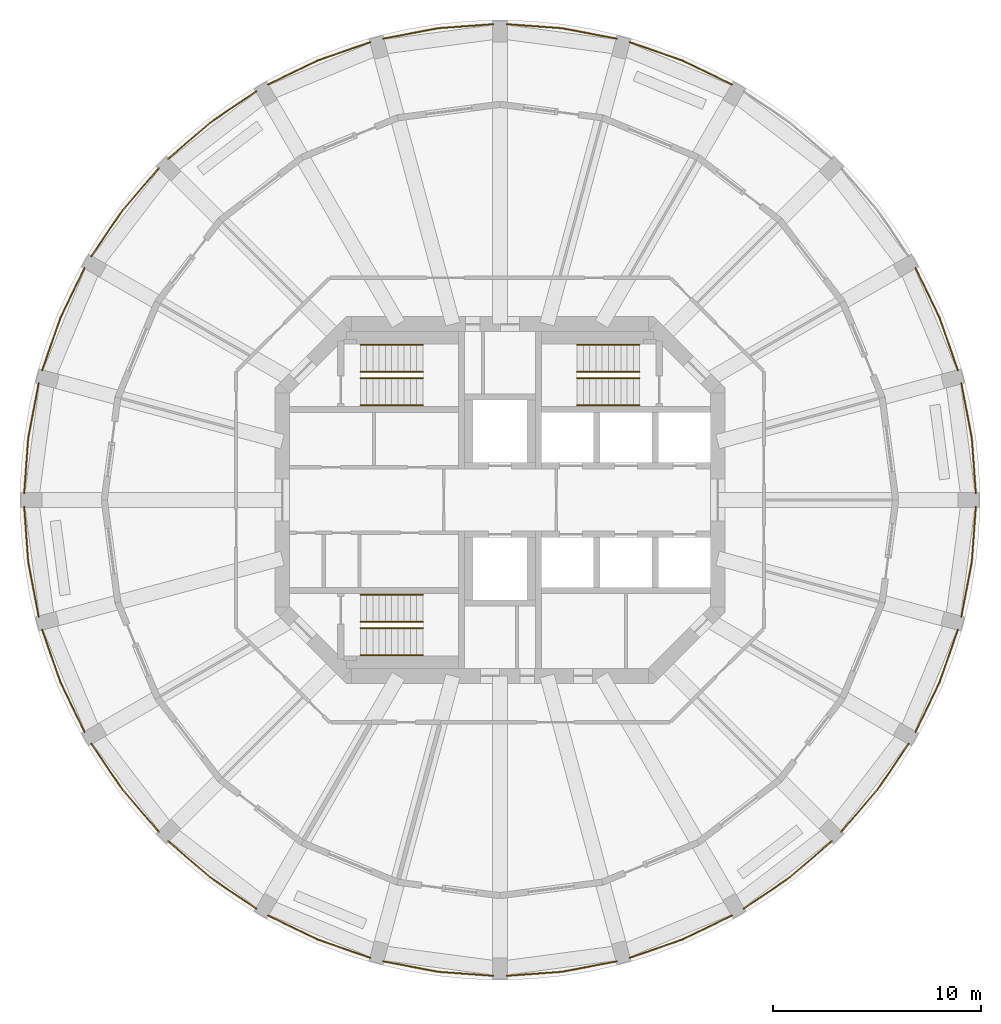
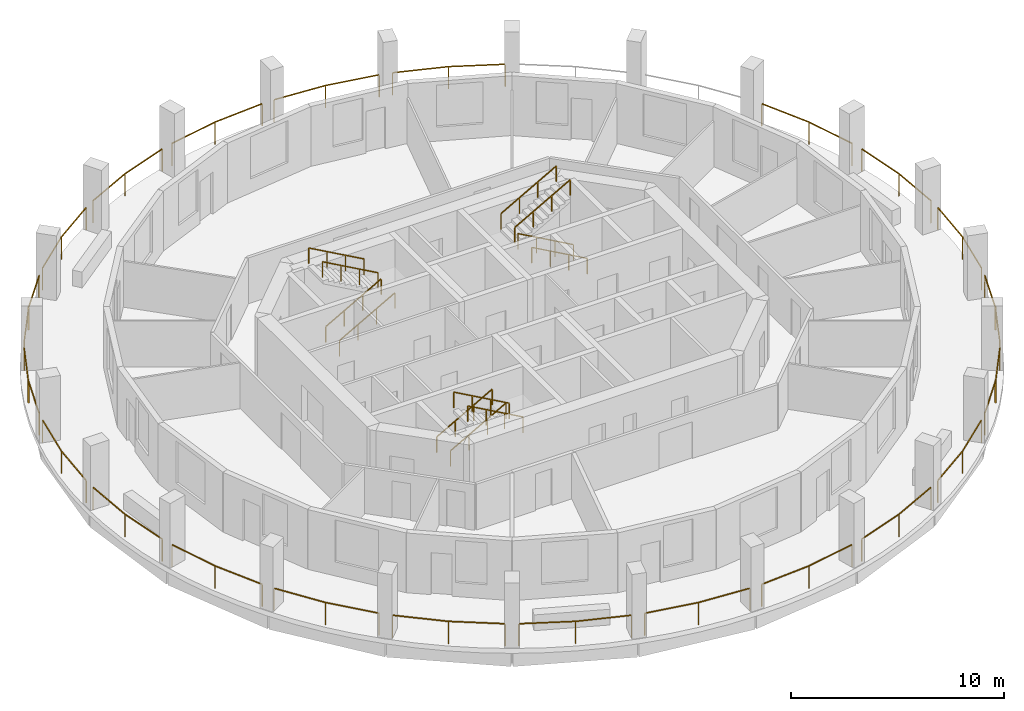
# One storey, part 8 of 9: 34 railings.
"""IFC4 building model written with IfcOpenShell, lengths in metres."""

from ifc_helpers import new_model, si_unit, direction, frame, origin, origin_2d, place, context, subcontext, project, spatial, rectangle, extrude, material, type_object, element, save


model = new_model("IFC4")

# Units and contexts
model_context = context("Model", 3, precision=1e-05, world=origin(), true_north=direction((0.0, 1.0)))
body_context = subcontext(model_context, "Body", "Model", "MODEL_VIEW")
ifc_project = project(units=[si_unit("LENGTHUNIT", "METRE"), si_unit("AREAUNIT", "SQUARE_METRE"), si_unit("VOLUMEUNIT", "CUBIC_METRE"), si_unit("PLANEANGLEUNIT", "RADIAN"), si_unit("MASSUNIT", "GRAM", prefix="KILO")], contexts=[model_context])

# Site, building, storey
site_placement = place(None, origin())
site = spatial("IfcSite", under=ifc_project, at=site_placement, CompositionType="ELEMENT")
building_placement = place(site_placement, origin())
building = spatial("IfcBuilding", under=site, at=building_placement, Name="Torre Triforio", CompositionType="ELEMENT")
storey_placement = place(building_placement, frame((0.0, 0.0, 154.199951171875)))
storey = spatial("IfcBuildingStorey", under=building, at=storey_placement, Name="L34", CompositionType="ELEMENT", Elevation=154.199951171875)

# Railings
ifc_material = material(Name="Stainless steel AISI 316", Category="steel")
railing_type_1 = type_object("IfcRailingType", Name="HANDRAIL 920", PredefinedType="HANDRAIL", material=ifc_material)
for number, where, name in (
    (1, (-6.699951171875, 4.550048828125, 0.168212890625), "Handrail ST1"),
    (2, (-6.699951171875, 5.85009765625, 0.168212890625), "Handrail ST1"),
):
    element("IfcRailing", number, at=place(storey_placement, frame(where)), inside=storey, type_object=railing_type_1, Name=name, PredefinedType="HANDRAIL", context=body_context, shape_type="SweptSolid", body=[
        extrude(rectangle(XDim=0.048095703125, YDim=0.048095703125, at=origin_2d()), frame((0.0, 0.0, 0.89599609375), z_axis=(0.872272294576, 0.0, 0.489020494575), x_axis=(0.0, 1.0, 0.0)), (0.0, 0.0, 1.0), 3.439208984375),
        extrude(rectangle(XDim=0.0419921875, YDim=0.0419921875, at=origin_2d()), origin(), (0.0, 0.0, 1.0), 0.871826171875),
        extrude(rectangle(XDim=0.0419921875, YDim=0.0419921875, at=origin_2d()), frame((1.0, 0.0, 0.560546875)), (0.0, 0.0, 1.0), 0.871826171875),
        extrude(rectangle(XDim=0.0419921875, YDim=0.0419921875, at=origin_2d()), frame((2.0, 0.0, 1.121337890625)), (0.0, 0.0, 1.0), 0.871826171875),
        extrude(rectangle(XDim=0.0419921875, YDim=0.0419921875, at=origin_2d()), frame((3.0, 0.0, 1.681884765625)), (0.0, 0.0, 1.0), 0.871826171875),
    ])
for number, where, name in (
    (3, (-3.699951171875, 7.449951171875, 2.018310546875), "Handrail ST1"),
    (4, (-3.699951171875, 6.14990234375, 2.018310546875), "Handrail ST1"),
):
    element("IfcRailing", number, at=place(storey_placement, frame(where)), inside=storey, type_object=railing_type_1, Name=name, PredefinedType="HANDRAIL", context=body_context, shape_type="SweptSolid", body=[
        extrude(rectangle(XDim=0.048095703125, YDim=0.048095703125, at=origin_2d()), frame((0.0, 0.0, 0.89599609375), z_axis=(-0.872302573547, 0.0, 0.488966481656), x_axis=(0.0, -1.0, 0.0)), (0.0, 0.0, 1.0), 3.439208984375),
        extrude(rectangle(XDim=0.0419921875, YDim=0.0419921875, at=origin_2d()), origin(), (0.0, 0.0, 1.0), 0.871826171875),
        extrude(rectangle(XDim=0.0419921875, YDim=0.0419921875, at=origin_2d()), frame((-1.0, 0.0, 0.560546875)), (0.0, 0.0, 1.0), 0.871826171875),
        extrude(rectangle(XDim=0.0419921875, YDim=0.0419921875, at=origin_2d()), frame((-2.0, 0.0, 1.12109375)), (0.0, 0.0, 1.0), 0.871826171875),
        extrude(rectangle(XDim=0.0419921875, YDim=0.0419921875, at=origin_2d()), frame((-3.0, 0.0, 1.681640625)), (0.0, 0.0, 1.0), 0.871826171875),
    ])
for number, where, name in (
    (5, (6.699951171875, 4.550048828125, 0.168212890625), "Handrail ST2"),
    (6, (6.699951171875, 5.85009765625, 0.168212890625), "Handrail ST2"),
):
    element("IfcRailing", number, at=place(storey_placement, frame(where)), inside=storey, type_object=railing_type_1, Name=name, PredefinedType="HANDRAIL", context=body_context, shape_type="SweptSolid", body=[
        extrude(rectangle(XDim=0.048095703125, YDim=0.048095703125, at=origin_2d()), frame((0.0, 0.0, 0.89599609375), z_axis=(-0.872272294576, 0.0, 0.489020494575), x_axis=(0.0, -1.0, 0.0)), (0.0, 0.0, 1.0), 3.439208984375),
        extrude(rectangle(XDim=0.0419921875, YDim=0.0419921875, at=origin_2d()), origin(), (0.0, 0.0, 1.0), 0.871826171875),
        extrude(rectangle(XDim=0.0419921875, YDim=0.0419921875, at=origin_2d()), frame((-1.0, 0.0, 0.560546875)), (0.0, 0.0, 1.0), 0.871826171875),
        extrude(rectangle(XDim=0.0419921875, YDim=0.0419921875, at=origin_2d()), frame((-2.0, 0.0, 1.121337890625)), (0.0, 0.0, 1.0), 0.871826171875),
        extrude(rectangle(XDim=0.0419921875, YDim=0.0419921875, at=origin_2d()), frame((-3.0, 0.0, 1.681884765625)), (0.0, 0.0, 1.0), 0.871826171875),
    ])
for number, where, name in (
    (7, (3.699951171875, 7.449951171875, 2.018310546875), "Handrail ST2"),
    (8, (3.699951171875, 6.14990234375, 2.018310546875), "Handrail ST2"),
):
    element("IfcRailing", number, at=place(storey_placement, frame(where)), inside=storey, type_object=railing_type_1, Name=name, PredefinedType="HANDRAIL", context=body_context, shape_type="SweptSolid", body=[
        extrude(rectangle(XDim=0.048095703125, YDim=0.048095703125, at=origin_2d()), frame((0.0, 0.0, 0.89599609375), z_axis=(0.872302573547, 0.0, 0.488966481656), x_axis=(0.0, 1.0, 0.0)), (0.0, 0.0, 1.0), 3.439208984375),
        extrude(rectangle(XDim=0.0419921875, YDim=0.0419921875, at=origin_2d()), origin(), (0.0, 0.0, 1.0), 0.871826171875),
        extrude(rectangle(XDim=0.0419921875, YDim=0.0419921875, at=origin_2d()), frame((1.0, 0.0, 0.560546875)), (0.0, 0.0, 1.0), 0.871826171875),
        extrude(rectangle(XDim=0.0419921875, YDim=0.0419921875, at=origin_2d()), frame((2.0, 0.0, 1.12109375)), (0.0, 0.0, 1.0), 0.871826171875),
        extrude(rectangle(XDim=0.0419921875, YDim=0.0419921875, at=origin_2d()), frame((3.0, 0.0, 1.681640625)), (0.0, 0.0, 1.0), 0.871826171875),
    ])
for number, where, name in (
    (9, (-6.699951171875, -4.550048828125, 0.168212890625), "Handrail ST3"),
    (10, (-6.699951171875, -5.85009765625, 0.168212890625), "Handrail ST3"),
):
    element("IfcRailing", number, at=place(storey_placement, frame(where)), inside=storey, type_object=railing_type_1, Name=name, PredefinedType="HANDRAIL", context=body_context, shape_type="SweptSolid", body=[
        extrude(rectangle(XDim=0.048095703125, YDim=0.048095703125, at=origin_2d()), frame((0.0, 0.0, 0.89599609375), z_axis=(0.872272294576, 0.0, 0.489020494575), x_axis=(0.0, 1.0, 0.0)), (0.0, 0.0, 1.0), 3.439208984375),
        extrude(rectangle(XDim=0.0419921875, YDim=0.0419921875, at=origin_2d()), origin(), (0.0, 0.0, 1.0), 0.871826171875),
        extrude(rectangle(XDim=0.0419921875, YDim=0.0419921875, at=origin_2d()), frame((1.0, 0.0, 0.560546875)), (0.0, 0.0, 1.0), 0.871826171875),
        extrude(rectangle(XDim=0.0419921875, YDim=0.0419921875, at=origin_2d()), frame((2.0, 0.0, 1.121337890625)), (0.0, 0.0, 1.0), 0.871826171875),
        extrude(rectangle(XDim=0.0419921875, YDim=0.0419921875, at=origin_2d()), frame((3.0, 0.0, 1.681884765625)), (0.0, 0.0, 1.0), 0.871826171875),
    ])
for number, where, name in (
    (11, (-3.699951171875, -7.449951171875, 2.018310546875), "Handrail ST3"),
    (12, (-3.699951171875, -6.14990234375, 2.018310546875), "Handrail ST3"),
):
    element("IfcRailing", number, at=place(storey_placement, frame(where)), inside=storey, type_object=railing_type_1, Name=name, PredefinedType="HANDRAIL", context=body_context, shape_type="SweptSolid", body=[
        extrude(rectangle(XDim=0.048095703125, YDim=0.048095703125, at=origin_2d()), frame((0.0, 0.0, 0.89599609375), z_axis=(-0.872302573547, 0.0, 0.488966481656), x_axis=(0.0, -1.0, 0.0)), (0.0, 0.0, 1.0), 3.439208984375),
        extrude(rectangle(XDim=0.0419921875, YDim=0.0419921875, at=origin_2d()), origin(), (0.0, 0.0, 1.0), 0.871826171875),
        extrude(rectangle(XDim=0.0419921875, YDim=0.0419921875, at=origin_2d()), frame((-1.0, 0.0, 0.560546875)), (0.0, 0.0, 1.0), 0.871826171875),
        extrude(rectangle(XDim=0.0419921875, YDim=0.0419921875, at=origin_2d()), frame((-2.0, 0.0, 1.12109375)), (0.0, 0.0, 1.0), 0.871826171875),
        extrude(rectangle(XDim=0.0419921875, YDim=0.0419921875, at=origin_2d()), frame((-3.0, 0.0, 1.681640625)), (0.0, 0.0, 1.0), 0.871826171875),
    ])
railing_type_2 = type_object("IfcRailingType", Name="Loggia guard 1300", PredefinedType="GUARDRAIL", material=ifc_material)
railing_1_placement = place(storey_placement, frame((22.85009765625, 0.320068359375, 0.0)))
element("IfcRailing", 13, at=railing_1_placement, inside=storey, type_object=railing_type_2, Name="Loggia guard L34 bay 01", PredefinedType="GUARDRAIL", context=body_context, shape_type="SweptSolid", body=[
    extrude(rectangle(XDim=0.050048828125, YDim=0.050048828125, at=origin_2d()), frame((0.0, 0.0, 1.27490234375), z_axis=(-0.073255194528, 0.997313228868, 0.0), x_axis=(-0.997313228868, -0.073255194528, 0.0)), (0.0, 0.0, 1.0), 2.66943359375),
    extrude(rectangle(XDim=0.050048828125, YDim=0.050048828125, at=origin_2d()), frame((-0.195556640625, 2.662353515625, 1.27490234375), z_axis=(-0.187368424401, 0.982289709575, 0.0), x_axis=(-0.982289709575, -0.187368424401, 0.0)), (0.0, 0.0, 1.0), 2.669921875),
    extrude(rectangle(XDim=0.0400390625, YDim=0.0400390625, at=origin_2d()), origin(), (0.0, 0.0, 1.0), 1.25),
    extrude(rectangle(XDim=0.0400390625, YDim=0.0400390625, at=origin_2d()), frame((-0.195556640625, 2.662353515625, 0.0)), (0.0, 0.0, 1.0), 1.25),
    extrude(rectangle(XDim=0.0400390625, YDim=0.0400390625, at=origin_2d()), frame((-0.69580078125, 5.284912109375, 0.0)), (0.0, 0.0, 1.0), 1.25),
])
railing_2_placement = place(storey_placement, frame((21.988525390625, 6.22314453125, 0.0)))
element("IfcRailing", 14, at=railing_2_placement, inside=storey, type_object=railing_type_2, Name="Loggia guard L34 bay 02", PredefinedType="GUARDRAIL", context=body_context, shape_type="SweptSolid", body=[
    extrude(rectangle(XDim=0.050048828125, YDim=0.050048828125, at=origin_2d()), frame((0.0, 0.0, 1.27490234375), z_axis=(-0.328846918852, 0.944383239984, 0.0), x_axis=(-0.944383239984, -0.328846918852, 0.0)), (0.0, 0.0, 1.0), 2.669677734375),
    extrude(rectangle(XDim=0.050048828125, YDim=0.050048828125, at=origin_2d()), frame((-0.8779296875, 2.521240234375, 1.27490234375), z_axis=(-0.435211903812, 0.900328050646, 0.0), x_axis=(-0.900328050646, -0.435211903812, 0.0)), (0.0, 0.0, 1.0), 2.669677734375),
    extrude(rectangle(XDim=0.0400390625, YDim=0.0400390625, at=origin_2d()), origin(), (0.0, 0.0, 1.0), 1.25),
    extrude(rectangle(XDim=0.0400390625, YDim=0.0400390625, at=origin_2d()), frame((-0.8779296875, 2.521240234375, 0.0)), (0.0, 0.0, 1.0), 1.25),
    extrude(rectangle(XDim=0.0400390625, YDim=0.0400390625, at=origin_2d()), frame((-2.039794921875, 4.9248046875, 0.0)), (0.0, 0.0, 1.0), 1.25),
])
railing_3_placement = place(storey_placement, frame((11.14794921875, 19.94873046875, 0.0)))
element("IfcRailing", 15, at=railing_3_placement, inside=storey, type_object=railing_type_2, Name="Loggia guard L34 bay 05", PredefinedType="GUARDRAIL", context=body_context, shape_type="SweptSolid", body=[
    extrude(rectangle(XDim=0.050048828125, YDim=0.050048828125, at=origin_2d()), frame((0.0, 0.0, 1.27490234375), z_axis=(-0.900328050646, 0.435211903812, 0.0), x_axis=(-0.435211903812, -0.900328050646, 0.0)), (0.0, 0.0, 1.0), 2.669677734375),
    extrude(rectangle(XDim=0.050048828125, YDim=0.050048828125, at=origin_2d()), frame((-2.403564453125, 1.161865234375, 1.27490234375), z_axis=(-0.944383239984, 0.328846918852, 0.0), x_axis=(-0.328846918852, -0.944383239984, 0.0)), (0.0, 0.0, 1.0), 2.669677734375),
    extrude(rectangle(XDim=0.0400390625, YDim=0.0400390625, at=origin_2d()), origin(), (0.0, 0.0, 1.0), 1.25),
    extrude(rectangle(XDim=0.0400390625, YDim=0.0400390625, at=origin_2d()), frame((-2.403564453125, 1.161865234375, 0.0)), (0.0, 0.0, 1.0), 1.25),
    extrude(rectangle(XDim=0.0400390625, YDim=0.0400390625, at=origin_2d()), frame((-4.9248046875, 2.039794921875, 0.0)), (0.0, 0.0, 1.0), 1.25),
])
railing_4_placement = place(storey_placement, frame((5.60498046875, 22.154296875, 0.0)))
element("IfcRailing", 16, at=railing_4_placement, inside=storey, type_object=railing_type_2, Name="Loggia guard L34 bay 06", PredefinedType="GUARDRAIL", context=body_context, shape_type="SweptSolid", body=[
    extrude(rectangle(XDim=0.050048828125, YDim=0.050048828125, at=origin_2d()), frame((0.0, 0.0, 1.27490234375), z_axis=(-0.982289709575, 0.187368424401, 0.0), x_axis=(-0.187368424401, -0.982289709575, 0.0)), (0.0, 0.0, 1.0), 2.669921875),
    extrude(rectangle(XDim=0.050048828125, YDim=0.050048828125, at=origin_2d()), frame((-2.62255859375, 0.500244140625, 1.27490234375), z_axis=(-0.997313228868, 0.073255194528, 0.0), x_axis=(-0.073255194528, -0.997313228868, 0.0)), (0.0, 0.0, 1.0), 2.66943359375),
    extrude(rectangle(XDim=0.0400390625, YDim=0.0400390625, at=origin_2d()), origin(), (0.0, 0.0, 1.0), 1.25),
    extrude(rectangle(XDim=0.0400390625, YDim=0.0400390625, at=origin_2d()), frame((-2.62255859375, 0.500244140625, 0.0)), (0.0, 0.0, 1.0), 1.25),
    extrude(rectangle(XDim=0.0400390625, YDim=0.0400390625, at=origin_2d()), frame((-5.284912109375, 0.69580078125, 0.0)), (0.0, 0.0, 1.0), 1.25),
])
railing_5_placement = place(storey_placement, frame((-0.320068359375, 22.85009765625, 0.0)))
element("IfcRailing", 17, at=railing_5_placement, inside=storey, type_object=railing_type_2, Name="Loggia guard L34 bay 07", PredefinedType="GUARDRAIL", context=body_context, shape_type="SweptSolid", body=[
    extrude(rectangle(XDim=0.050048828125, YDim=0.050048828125, at=origin_2d()), frame((0.0, 0.0, 1.27490234375), z_axis=(-0.997313228868, -0.073255194528, 0.0), x_axis=(0.073255194528, -0.997313228868, 0.0)), (0.0, 0.0, 1.0), 2.66943359375),
    extrude(rectangle(XDim=0.050048828125, YDim=0.050048828125, at=origin_2d()), frame((-2.662353515625, -0.195556640625, 1.27490234375), z_axis=(-0.982289709575, -0.187368424401, 0.0), x_axis=(0.187368424401, -0.982289709575, 0.0)), (0.0, 0.0, 1.0), 2.669921875),
    extrude(rectangle(XDim=0.0400390625, YDim=0.0400390625, at=origin_2d()), origin(), (0.0, 0.0, 1.0), 1.25),
    extrude(rectangle(XDim=0.0400390625, YDim=0.0400390625, at=origin_2d()), frame((-2.662353515625, -0.195556640625, 0.0)), (0.0, 0.0, 1.0), 1.25),
    extrude(rectangle(XDim=0.0400390625, YDim=0.0400390625, at=origin_2d()), frame((-5.284912109375, -0.69580078125, 0.0)), (0.0, 0.0, 1.0), 1.25),
])
railing_6_placement = place(storey_placement, frame((-6.22314453125, 21.988525390625, 0.0)))
element("IfcRailing", 18, at=railing_6_placement, inside=storey, type_object=railing_type_2, Name="Loggia guard L34 bay 08", PredefinedType="GUARDRAIL", context=body_context, shape_type="SweptSolid", body=[
    extrude(rectangle(XDim=0.050048828125, YDim=0.050048828125, at=origin_2d()), frame((0.0, 0.0, 1.27490234375), z_axis=(-0.944383239984, -0.328846918852, 0.0), x_axis=(0.328846918852, -0.944383239984, 0.0)), (0.0, 0.0, 1.0), 2.669677734375),
    extrude(rectangle(XDim=0.050048828125, YDim=0.050048828125, at=origin_2d()), frame((-2.521240234375, -0.8779296875, 1.27490234375), z_axis=(-0.900328050646, -0.435211903812, 0.0), x_axis=(0.435211903812, -0.900328050646, 0.0)), (0.0, 0.0, 1.0), 2.669677734375),
    extrude(rectangle(XDim=0.0400390625, YDim=0.0400390625, at=origin_2d()), origin(), (0.0, 0.0, 1.0), 1.25),
    extrude(rectangle(XDim=0.0400390625, YDim=0.0400390625, at=origin_2d()), frame((-2.521240234375, -0.8779296875, 0.0)), (0.0, 0.0, 1.0), 1.25),
    extrude(rectangle(XDim=0.0400390625, YDim=0.0400390625, at=origin_2d()), frame((-4.9248046875, -2.039794921875, 0.0)), (0.0, 0.0, 1.0), 1.25),
])
railing_7_placement = place(storey_placement, frame((-11.7021484375, 19.628662109375, 0.0)))
element("IfcRailing", 19, at=railing_7_placement, inside=storey, type_object=railing_type_2, Name="Loggia guard L34 bay 09", PredefinedType="GUARDRAIL", context=body_context, shape_type="SweptSolid", body=[
    extrude(rectangle(XDim=0.050048828125, YDim=0.050048828125, at=origin_2d()), frame((0.0, 0.0, 1.27490234375), z_axis=(-0.827093160774, -0.562064856935, 0.0), x_axis=(0.562064856935, -0.827093160774, 0.0)), (0.0, 0.0, 1.0), 2.669677734375),
    extrude(rectangle(XDim=0.050048828125, YDim=0.050048828125, at=origin_2d()), frame((-2.2080078125, -1.50048828125, 1.27490234375), z_axis=(-0.757012150376, -0.653400799038, 0.0), x_axis=(0.653400799038, -0.757012150376, 0.0)), (0.0, 0.0, 1.0), 2.669677734375),
    extrude(rectangle(XDim=0.0400390625, YDim=0.0400390625, at=origin_2d()), origin(), (0.0, 0.0, 1.0), 1.25),
    extrude(rectangle(XDim=0.0400390625, YDim=0.0400390625, at=origin_2d()), frame((-2.2080078125, -1.50048828125, 0.0)), (0.0, 0.0, 1.0), 1.25),
    extrude(rectangle(XDim=0.0400390625, YDim=0.0400390625, at=origin_2d()), frame((-4.22900390625, -3.244873046875, 0.0)), (0.0, 0.0, 1.0), 1.25),
])
railing_8_placement = place(storey_placement, frame((-16.3837890625, 15.93115234375, 0.0)))
element("IfcRailing", 20, at=railing_8_placement, inside=storey, type_object=railing_type_2, Name="Loggia guard L34 bay 10", PredefinedType="GUARDRAIL", context=body_context, shape_type="SweptSolid", body=[
    extrude(rectangle(XDim=0.050048828125, YDim=0.050048828125, at=origin_2d()), frame((0.0, 0.0, 1.27490234375), z_axis=(-0.653400799038, -0.757012150376, 0.0), x_axis=(0.757012150376, -0.653400799038, 0.0)), (0.0, 0.0, 1.0), 2.669677734375),
    extrude(rectangle(XDim=0.050048828125, YDim=0.050048828125, at=origin_2d()), frame((-1.744384765625, -2.02099609375, 1.27490234375), z_axis=(-0.562064856935, -0.827093160774, 0.0), x_axis=(0.827093160774, -0.562064856935, 0.0)), (0.0, 0.0, 1.0), 2.669677734375),
    extrude(rectangle(XDim=0.0400390625, YDim=0.0400390625, at=origin_2d()), origin(), (0.0, 0.0, 1.0), 1.25),
    extrude(rectangle(XDim=0.0400390625, YDim=0.0400390625, at=origin_2d()), frame((-1.744384765625, -2.02099609375, 0.0)), (0.0, 0.0, 1.0), 1.25),
    extrude(rectangle(XDim=0.0400390625, YDim=0.0400390625, at=origin_2d()), frame((-3.244873046875, -4.22900390625, 0.0)), (0.0, 0.0, 1.0), 1.25),
])
railing_9_placement = place(storey_placement, frame((-19.94873046875, 11.14794921875, 0.0)))
element("IfcRailing", 21, at=railing_9_placement, inside=storey, type_object=railing_type_2, Name="Loggia guard L34 bay 11", PredefinedType="GUARDRAIL", context=body_context, shape_type="SweptSolid", body=[
    extrude(rectangle(XDim=0.050048828125, YDim=0.050048828125, at=origin_2d()), frame((0.0, 0.0, 1.27490234375), z_axis=(-0.435211903812, -0.900328050646, 0.0), x_axis=(0.900328050646, -0.435211903812, 0.0)), (0.0, 0.0, 1.0), 2.669677734375),
    extrude(rectangle(XDim=0.050048828125, YDim=0.050048828125, at=origin_2d()), frame((-1.161865234375, -2.403564453125, 1.27490234375), z_axis=(-0.328846918852, -0.944383239984, 0.0), x_axis=(0.944383239984, -0.328846918852, 0.0)), (0.0, 0.0, 1.0), 2.669677734375),
    extrude(rectangle(XDim=0.0400390625, YDim=0.0400390625, at=origin_2d()), origin(), (0.0, 0.0, 1.0), 1.25),
    extrude(rectangle(XDim=0.0400390625, YDim=0.0400390625, at=origin_2d()), frame((-1.161865234375, -2.403564453125, 0.0)), (0.0, 0.0, 1.0), 1.25),
    extrude(rectangle(XDim=0.0400390625, YDim=0.0400390625, at=origin_2d()), frame((-2.039794921875, -4.9248046875, 0.0)), (0.0, 0.0, 1.0), 1.25),
])
railing_10_placement = place(storey_placement, frame((-22.154296875, 5.60498046875, 0.0)))
element("IfcRailing", 22, at=railing_10_placement, inside=storey, type_object=railing_type_2, Name="Loggia guard L34 bay 12", PredefinedType="GUARDRAIL", context=body_context, shape_type="SweptSolid", body=[
    extrude(rectangle(XDim=0.050048828125, YDim=0.050048828125, at=origin_2d()), frame((0.0, 0.0, 1.27490234375), z_axis=(-0.187368424401, -0.982289709575, 0.0), x_axis=(0.982289709575, -0.187368424401, 0.0)), (0.0, 0.0, 1.0), 2.669921875),
    extrude(rectangle(XDim=0.050048828125, YDim=0.050048828125, at=origin_2d()), frame((-0.500244140625, -2.62255859375, 1.27490234375), z_axis=(-0.073255194528, -0.997313228868, 0.0), x_axis=(0.997313228868, -0.073255194528, 0.0)), (0.0, 0.0, 1.0), 2.66943359375),
    extrude(rectangle(XDim=0.0400390625, YDim=0.0400390625, at=origin_2d()), origin(), (0.0, 0.0, 1.0), 1.25),
    extrude(rectangle(XDim=0.0400390625, YDim=0.0400390625, at=origin_2d()), frame((-0.500244140625, -2.62255859375, 0.0)), (0.0, 0.0, 1.0), 1.25),
    extrude(rectangle(XDim=0.0400390625, YDim=0.0400390625, at=origin_2d()), frame((-0.69580078125, -5.284912109375, 0.0)), (0.0, 0.0, 1.0), 1.25),
])
railing_11_placement = place(storey_placement, frame((-22.85009765625, -0.320068359375, 0.0)))
element("IfcRailing", 23, at=railing_11_placement, inside=storey, type_object=railing_type_2, Name="Loggia guard L34 bay 13", PredefinedType="GUARDRAIL", context=body_context, shape_type="SweptSolid", body=[
    extrude(rectangle(XDim=0.050048828125, YDim=0.050048828125, at=origin_2d()), frame((0.0, 0.0, 1.27490234375), z_axis=(0.073255194528, -0.997313228868, 0.0), x_axis=(0.997313228868, 0.073255194528, 0.0)), (0.0, 0.0, 1.0), 2.66943359375),
    extrude(rectangle(XDim=0.050048828125, YDim=0.050048828125, at=origin_2d()), frame((0.195556640625, -2.662353515625, 1.27490234375), z_axis=(0.187368424401, -0.982289709575, 0.0), x_axis=(0.982289709575, 0.187368424401, 0.0)), (0.0, 0.0, 1.0), 2.669921875),
    extrude(rectangle(XDim=0.0400390625, YDim=0.0400390625, at=origin_2d()), origin(), (0.0, 0.0, 1.0), 1.25),
    extrude(rectangle(XDim=0.0400390625, YDim=0.0400390625, at=origin_2d()), frame((0.195556640625, -2.662353515625, 0.0)), (0.0, 0.0, 1.0), 1.25),
    extrude(rectangle(XDim=0.0400390625, YDim=0.0400390625, at=origin_2d()), frame((0.69580078125, -5.284912109375, 0.0)), (0.0, 0.0, 1.0), 1.25),
])
railing_12_placement = place(storey_placement, frame((-21.988525390625, -6.22314453125, 0.0)))
element("IfcRailing", 24, at=railing_12_placement, inside=storey, type_object=railing_type_2, Name="Loggia guard L34 bay 14", PredefinedType="GUARDRAIL", context=body_context, shape_type="SweptSolid", body=[
    extrude(rectangle(XDim=0.050048828125, YDim=0.050048828125, at=origin_2d()), frame((0.0, 0.0, 1.27490234375), z_axis=(0.328846918852, -0.944383239984, 0.0), x_axis=(0.944383239984, 0.328846918852, 0.0)), (0.0, 0.0, 1.0), 2.669677734375),
    extrude(rectangle(XDim=0.050048828125, YDim=0.050048828125, at=origin_2d()), frame((0.8779296875, -2.521240234375, 1.27490234375), z_axis=(0.435211903812, -0.900328050646, 0.0), x_axis=(0.900328050646, 0.435211903812, 0.0)), (0.0, 0.0, 1.0), 2.669677734375),
    extrude(rectangle(XDim=0.0400390625, YDim=0.0400390625, at=origin_2d()), origin(), (0.0, 0.0, 1.0), 1.25),
    extrude(rectangle(XDim=0.0400390625, YDim=0.0400390625, at=origin_2d()), frame((0.8779296875, -2.521240234375, 0.0)), (0.0, 0.0, 1.0), 1.25),
    extrude(rectangle(XDim=0.0400390625, YDim=0.0400390625, at=origin_2d()), frame((2.039794921875, -4.9248046875, 0.0)), (0.0, 0.0, 1.0), 1.25),
])
railing_13_placement = place(storey_placement, frame((-19.628662109375, -11.7021484375, 0.0)))
element("IfcRailing", 25, at=railing_13_placement, inside=storey, type_object=railing_type_2, Name="Loggia guard L34 bay 15", PredefinedType="GUARDRAIL", context=body_context, shape_type="SweptSolid", body=[
    extrude(rectangle(XDim=0.050048828125, YDim=0.050048828125, at=origin_2d()), frame((0.0, 0.0, 1.27490234375), z_axis=(0.562064856935, -0.827093160774, 0.0), x_axis=(0.827093160774, 0.562064856935, 0.0)), (0.0, 0.0, 1.0), 2.669677734375),
    extrude(rectangle(XDim=0.050048828125, YDim=0.050048828125, at=origin_2d()), frame((1.50048828125, -2.2080078125, 1.27490234375), z_axis=(0.653400799038, -0.757012150376, 0.0), x_axis=(0.757012150376, 0.653400799038, 0.0)), (0.0, 0.0, 1.0), 2.669677734375),
    extrude(rectangle(XDim=0.0400390625, YDim=0.0400390625, at=origin_2d()), origin(), (0.0, 0.0, 1.0), 1.25),
    extrude(rectangle(XDim=0.0400390625, YDim=0.0400390625, at=origin_2d()), frame((1.50048828125, -2.2080078125, 0.0)), (0.0, 0.0, 1.0), 1.25),
    extrude(rectangle(XDim=0.0400390625, YDim=0.0400390625, at=origin_2d()), frame((3.244873046875, -4.22900390625, 0.0)), (0.0, 0.0, 1.0), 1.25),
])
railing_14_placement = place(storey_placement, frame((-15.93115234375, -16.3837890625, 0.0)))
element("IfcRailing", 26, at=railing_14_placement, inside=storey, type_object=railing_type_2, Name="Loggia guard L34 bay 16", PredefinedType="GUARDRAIL", context=body_context, shape_type="SweptSolid", body=[
    extrude(rectangle(XDim=0.050048828125, YDim=0.050048828125, at=origin_2d()), frame((0.0, 0.0, 1.27490234375), z_axis=(0.757012150376, -0.653400799038, 0.0), x_axis=(0.653400799038, 0.757012150376, 0.0)), (0.0, 0.0, 1.0), 2.669677734375),
    extrude(rectangle(XDim=0.050048828125, YDim=0.050048828125, at=origin_2d()), frame((2.02099609375, -1.744384765625, 1.27490234375), z_axis=(0.827093160774, -0.562064856935, 0.0), x_axis=(0.562064856935, 0.827093160774, 0.0)), (0.0, 0.0, 1.0), 2.669677734375),
    extrude(rectangle(XDim=0.0400390625, YDim=0.0400390625, at=origin_2d()), origin(), (0.0, 0.0, 1.0), 1.25),
    extrude(rectangle(XDim=0.0400390625, YDim=0.0400390625, at=origin_2d()), frame((2.02099609375, -1.744384765625, 0.0)), (0.0, 0.0, 1.0), 1.25),
    extrude(rectangle(XDim=0.0400390625, YDim=0.0400390625, at=origin_2d()), frame((4.22900390625, -3.244873046875, 0.0)), (0.0, 0.0, 1.0), 1.25),
])
railing_15_placement = place(storey_placement, frame((-11.14794921875, -19.94873046875, 0.0)))
element("IfcRailing", 27, at=railing_15_placement, inside=storey, type_object=railing_type_2, Name="Loggia guard L34 bay 17", PredefinedType="GUARDRAIL", context=body_context, shape_type="SweptSolid", body=[
    extrude(rectangle(XDim=0.050048828125, YDim=0.050048828125, at=origin_2d()), frame((0.0, 0.0, 1.27490234375), z_axis=(0.900328050646, -0.435211903812, 0.0), x_axis=(0.435211903812, 0.900328050646, 0.0)), (0.0, 0.0, 1.0), 2.669677734375),
    extrude(rectangle(XDim=0.050048828125, YDim=0.050048828125, at=origin_2d()), frame((2.403564453125, -1.161865234375, 1.27490234375), z_axis=(0.944383239984, -0.328846918852, 0.0), x_axis=(0.328846918852, 0.944383239984, 0.0)), (0.0, 0.0, 1.0), 2.669677734375),
    extrude(rectangle(XDim=0.0400390625, YDim=0.0400390625, at=origin_2d()), origin(), (0.0, 0.0, 1.0), 1.25),
    extrude(rectangle(XDim=0.0400390625, YDim=0.0400390625, at=origin_2d()), frame((2.403564453125, -1.161865234375, 0.0)), (0.0, 0.0, 1.0), 1.25),
    extrude(rectangle(XDim=0.0400390625, YDim=0.0400390625, at=origin_2d()), frame((4.9248046875, -2.039794921875, 0.0)), (0.0, 0.0, 1.0), 1.25),
])
railing_16_placement = place(storey_placement, frame((-5.60498046875, -22.154296875, 0.0)))
element("IfcRailing", 28, at=railing_16_placement, inside=storey, type_object=railing_type_2, Name="Loggia guard L34 bay 18", PredefinedType="GUARDRAIL", context=body_context, shape_type="SweptSolid", body=[
    extrude(rectangle(XDim=0.050048828125, YDim=0.050048828125, at=origin_2d()), frame((0.0, 0.0, 1.27490234375), z_axis=(0.982289709575, -0.187368424401, 0.0), x_axis=(0.187368424401, 0.982289709575, 0.0)), (0.0, 0.0, 1.0), 2.669921875),
    extrude(rectangle(XDim=0.050048828125, YDim=0.050048828125, at=origin_2d()), frame((2.62255859375, -0.500244140625, 1.27490234375), z_axis=(0.997313228868, -0.073255194528, 0.0), x_axis=(0.073255194528, 0.997313228868, 0.0)), (0.0, 0.0, 1.0), 2.66943359375),
    extrude(rectangle(XDim=0.0400390625, YDim=0.0400390625, at=origin_2d()), origin(), (0.0, 0.0, 1.0), 1.25),
    extrude(rectangle(XDim=0.0400390625, YDim=0.0400390625, at=origin_2d()), frame((2.62255859375, -0.500244140625, 0.0)), (0.0, 0.0, 1.0), 1.25),
    extrude(rectangle(XDim=0.0400390625, YDim=0.0400390625, at=origin_2d()), frame((5.284912109375, -0.69580078125, 0.0)), (0.0, 0.0, 1.0), 1.25),
])
railing_17_placement = place(storey_placement, frame((0.320068359375, -22.85009765625, 0.0)))
element("IfcRailing", 29, at=railing_17_placement, inside=storey, type_object=railing_type_2, Name="Loggia guard L34 bay 19", PredefinedType="GUARDRAIL", context=body_context, shape_type="SweptSolid", body=[
    extrude(rectangle(XDim=0.050048828125, YDim=0.050048828125, at=origin_2d()), frame((0.0, 0.0, 1.27490234375), z_axis=(0.997313228868, 0.073255194528, 0.0), x_axis=(-0.073255194528, 0.997313228868, 0.0)), (0.0, 0.0, 1.0), 2.66943359375),
    extrude(rectangle(XDim=0.050048828125, YDim=0.050048828125, at=origin_2d()), frame((2.662353515625, 0.195556640625, 1.27490234375), z_axis=(0.982289709575, 0.187368424401, 0.0), x_axis=(-0.187368424401, 0.982289709575, 0.0)), (0.0, 0.0, 1.0), 2.669921875),
    extrude(rectangle(XDim=0.0400390625, YDim=0.0400390625, at=origin_2d()), origin(), (0.0, 0.0, 1.0), 1.25),
    extrude(rectangle(XDim=0.0400390625, YDim=0.0400390625, at=origin_2d()), frame((2.662353515625, 0.195556640625, 0.0)), (0.0, 0.0, 1.0), 1.25),
    extrude(rectangle(XDim=0.0400390625, YDim=0.0400390625, at=origin_2d()), frame((5.284912109375, 0.69580078125, 0.0)), (0.0, 0.0, 1.0), 1.25),
])
railing_18_placement = place(storey_placement, frame((6.22314453125, -21.988525390625, 0.0)))
element("IfcRailing", 30, at=railing_18_placement, inside=storey, type_object=railing_type_2, Name="Loggia guard L34 bay 20", PredefinedType="GUARDRAIL", context=body_context, shape_type="SweptSolid", body=[
    extrude(rectangle(XDim=0.050048828125, YDim=0.050048828125, at=origin_2d()), frame((0.0, 0.0, 1.27490234375), z_axis=(0.944383239984, 0.328846918852, 0.0), x_axis=(-0.328846918852, 0.944383239984, 0.0)), (0.0, 0.0, 1.0), 2.669677734375),
    extrude(rectangle(XDim=0.050048828125, YDim=0.050048828125, at=origin_2d()), frame((2.521240234375, 0.8779296875, 1.27490234375), z_axis=(0.900328050646, 0.435211903812, 0.0), x_axis=(-0.435211903812, 0.900328050646, 0.0)), (0.0, 0.0, 1.0), 2.669677734375),
    extrude(rectangle(XDim=0.0400390625, YDim=0.0400390625, at=origin_2d()), origin(), (0.0, 0.0, 1.0), 1.25),
    extrude(rectangle(XDim=0.0400390625, YDim=0.0400390625, at=origin_2d()), frame((2.521240234375, 0.8779296875, 0.0)), (0.0, 0.0, 1.0), 1.25),
    extrude(rectangle(XDim=0.0400390625, YDim=0.0400390625, at=origin_2d()), frame((4.9248046875, 2.039794921875, 0.0)), (0.0, 0.0, 1.0), 1.25),
])
railing_19_placement = place(storey_placement, frame((11.7021484375, -19.628662109375, 0.0)))
element("IfcRailing", 31, at=railing_19_placement, inside=storey, type_object=railing_type_2, Name="Loggia guard L34 bay 21", PredefinedType="GUARDRAIL", context=body_context, shape_type="SweptSolid", body=[
    extrude(rectangle(XDim=0.050048828125, YDim=0.050048828125, at=origin_2d()), frame((0.0, 0.0, 1.27490234375), z_axis=(0.827093160774, 0.562064856935, 0.0), x_axis=(-0.562064856935, 0.827093160774, 0.0)), (0.0, 0.0, 1.0), 2.669677734375),
    extrude(rectangle(XDim=0.050048828125, YDim=0.050048828125, at=origin_2d()), frame((2.2080078125, 1.50048828125, 1.27490234375), z_axis=(0.757012150376, 0.653400799038, 0.0), x_axis=(-0.653400799038, 0.757012150376, 0.0)), (0.0, 0.0, 1.0), 2.669677734375),
    extrude(rectangle(XDim=0.0400390625, YDim=0.0400390625, at=origin_2d()), origin(), (0.0, 0.0, 1.0), 1.25),
    extrude(rectangle(XDim=0.0400390625, YDim=0.0400390625, at=origin_2d()), frame((2.2080078125, 1.50048828125, 0.0)), (0.0, 0.0, 1.0), 1.25),
    extrude(rectangle(XDim=0.0400390625, YDim=0.0400390625, at=origin_2d()), frame((4.22900390625, 3.244873046875, 0.0)), (0.0, 0.0, 1.0), 1.25),
])
railing_20_placement = place(storey_placement, frame((16.3837890625, -15.93115234375, 0.0)))
element("IfcRailing", 32, at=railing_20_placement, inside=storey, type_object=railing_type_2, Name="Loggia guard L34 bay 22", PredefinedType="GUARDRAIL", context=body_context, shape_type="SweptSolid", body=[
    extrude(rectangle(XDim=0.050048828125, YDim=0.050048828125, at=origin_2d()), frame((0.0, 0.0, 1.27490234375), z_axis=(0.653400799038, 0.757012150376, 0.0), x_axis=(-0.757012150376, 0.653400799038, 0.0)), (0.0, 0.0, 1.0), 2.669677734375),
    extrude(rectangle(XDim=0.050048828125, YDim=0.050048828125, at=origin_2d()), frame((1.744384765625, 2.02099609375, 1.27490234375), z_axis=(0.562064856935, 0.827093160774, 0.0), x_axis=(-0.827093160774, 0.562064856935, 0.0)), (0.0, 0.0, 1.0), 2.669677734375),
    extrude(rectangle(XDim=0.0400390625, YDim=0.0400390625, at=origin_2d()), origin(), (0.0, 0.0, 1.0), 1.25),
    extrude(rectangle(XDim=0.0400390625, YDim=0.0400390625, at=origin_2d()), frame((1.744384765625, 2.02099609375, 0.0)), (0.0, 0.0, 1.0), 1.25),
    extrude(rectangle(XDim=0.0400390625, YDim=0.0400390625, at=origin_2d()), frame((3.244873046875, 4.22900390625, 0.0)), (0.0, 0.0, 1.0), 1.25),
])
railing_21_placement = place(storey_placement, frame((19.94873046875, -11.14794921875, 0.0)))
element("IfcRailing", 33, at=railing_21_placement, inside=storey, type_object=railing_type_2, Name="Loggia guard L34 bay 23", PredefinedType="GUARDRAIL", context=body_context, shape_type="SweptSolid", body=[
    extrude(rectangle(XDim=0.050048828125, YDim=0.050048828125, at=origin_2d()), frame((0.0, 0.0, 1.27490234375), z_axis=(0.435211903812, 0.900328050646, 0.0), x_axis=(-0.900328050646, 0.435211903812, 0.0)), (0.0, 0.0, 1.0), 2.669677734375),
    extrude(rectangle(XDim=0.050048828125, YDim=0.050048828125, at=origin_2d()), frame((1.161865234375, 2.403564453125, 1.27490234375), z_axis=(0.328846918852, 0.944383239984, 0.0), x_axis=(-0.944383239984, 0.328846918852, 0.0)), (0.0, 0.0, 1.0), 2.669677734375),
    extrude(rectangle(XDim=0.0400390625, YDim=0.0400390625, at=origin_2d()), origin(), (0.0, 0.0, 1.0), 1.25),
    extrude(rectangle(XDim=0.0400390625, YDim=0.0400390625, at=origin_2d()), frame((1.161865234375, 2.403564453125, 0.0)), (0.0, 0.0, 1.0), 1.25),
    extrude(rectangle(XDim=0.0400390625, YDim=0.0400390625, at=origin_2d()), frame((2.039794921875, 4.9248046875, 0.0)), (0.0, 0.0, 1.0), 1.25),
])
railing_22_placement = place(storey_placement, frame((22.154296875, -5.60498046875, 0.0)))
element("IfcRailing", 34, at=railing_22_placement, inside=storey, type_object=railing_type_2, Name="Loggia guard L34 bay 24", PredefinedType="GUARDRAIL", context=body_context, shape_type="SweptSolid", body=[
    extrude(rectangle(XDim=0.050048828125, YDim=0.050048828125, at=origin_2d()), frame((0.0, 0.0, 1.27490234375), z_axis=(0.187368424401, 0.982289709575, 0.0), x_axis=(-0.982289709575, 0.187368424401, 0.0)), (0.0, 0.0, 1.0), 2.669921875),
    extrude(rectangle(XDim=0.050048828125, YDim=0.050048828125, at=origin_2d()), frame((0.500244140625, 2.62255859375, 1.27490234375), z_axis=(0.073255194528, 0.997313228868, 0.0), x_axis=(-0.997313228868, 0.073255194528, 0.0)), (0.0, 0.0, 1.0), 2.66943359375),
    extrude(rectangle(XDim=0.0400390625, YDim=0.0400390625, at=origin_2d()), origin(), (0.0, 0.0, 1.0), 1.25),
    extrude(rectangle(XDim=0.0400390625, YDim=0.0400390625, at=origin_2d()), frame((0.500244140625, 2.62255859375, 0.0)), (0.0, 0.0, 1.0), 1.25),
    extrude(rectangle(XDim=0.0400390625, YDim=0.0400390625, at=origin_2d()), frame((0.69580078125, 5.284912109375, 0.0)), (0.0, 0.0, 1.0), 1.25),
])

save(model, "model.ifc")
